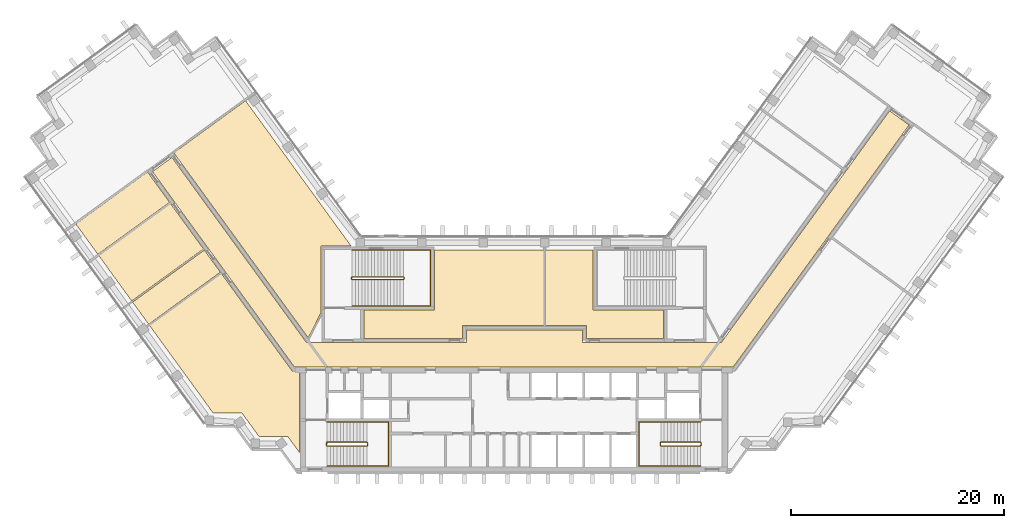
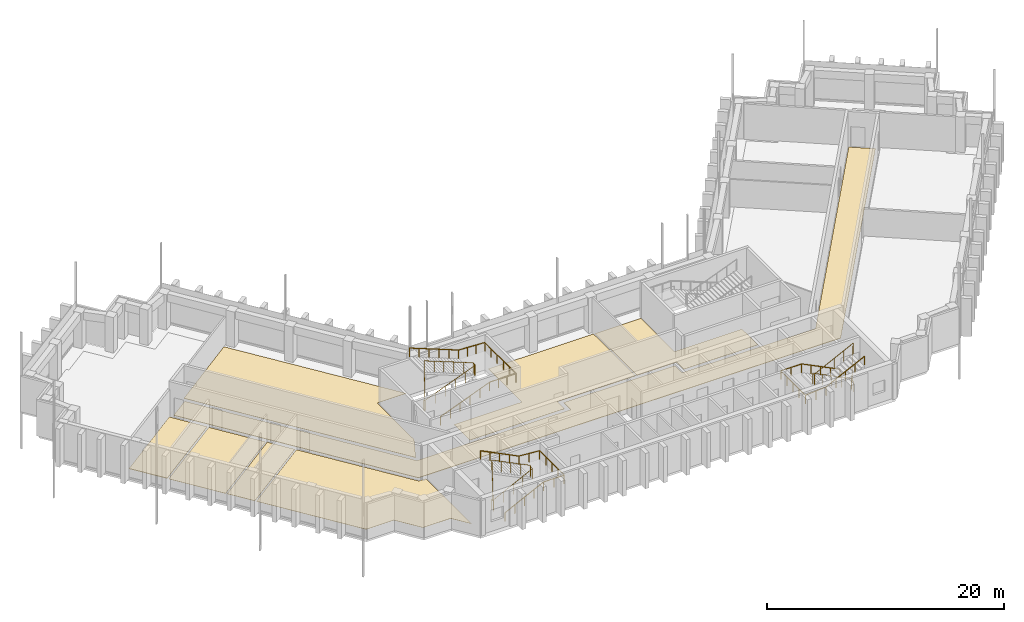
# One storey, part 12 of 13: 8 coverings, 6 railings.
"""IFC4 building model written with IfcOpenShell, lengths in metres."""

from ifc_helpers import new_model, si_unit, direction, frame, origin, origin_2d, place, context, subcontext, project, spatial, polyline, circle, outline, extrude, material, layer, layer_set, type_object, element, save


model = new_model("IFC4")

# Units and contexts
model_context = context("Model", 3, precision=1e-05, world=origin(), true_north=direction((0.0, 1.0)))
body_context = subcontext(model_context, "Body", "Model", "MODEL_VIEW")
ifc_project = project(units=[si_unit("LENGTHUNIT", "METRE"), si_unit("AREAUNIT", "SQUARE_METRE"), si_unit("VOLUMEUNIT", "CUBIC_METRE"), si_unit("PLANEANGLEUNIT", "RADIAN"), si_unit("MASSUNIT", "GRAM", prefix="KILO")], contexts=[model_context])

# Site, building, storey
site_placement = place(None, origin())
site = spatial("IfcSite", under=ifc_project, at=site_placement, CompositionType="ELEMENT")
building_placement = place(site_placement, origin())
building = spatial("IfcBuilding", under=site, at=building_placement, Name="Quipu Civic Tower", CompositionType="ELEMENT")
storey_placement = place(building_placement, frame((0.0, 0.0, 172.0)))
storey = spatial("IfcBuildingStorey", under=building, at=storey_placement, Name="L40", CompositionType="ELEMENT", Elevation=172.0)

# Coverings
ifc_material_1 = material(Name="Carpet tile on raised access floor")
ifc_layer_1 = layer(ifc_material_1, 0.02001953125)
ifc_layer_set_1 = layer_set([ifc_layer_1], Name="Carpet tile on raised access floor")
covering_type_1 = type_object("IfcCoveringType", Name="Carpet tile floor finish 20", PredefinedType="FLOORING", material=ifc_layer_set_1)
covering_1_placement = place(storey_placement, origin())
element("IfcCovering", 1, at=covering_1_placement, inside=storey, type_object=covering_type_1, Name="Carpet tile floor finish 20", PredefinedType="FLOORING", context=body_context, shape_type="SweptSolid", body=[
    extrude(outline(polyline([(2.948974609375, 2.719970703125), (2.948974609375, 9.830078125), (7.429931640625, 9.830078125), (7.430908203125, 4.179931640625), (14.030029296875, 4.179931640625), (14.030029296875, 1.52001953125), (6.820068359375, 1.52001953125), (6.819091796875, 2.719970703125), (2.948974609375, 2.719970703125)])), origin(), (0.0, 0.0, 1.0), 0.02001953125),
])
covering_2_placement = place(storey_placement, origin())
element("IfcCovering", 2, at=covering_2_placement, inside=storey, type_object=covering_type_1, Name="Carpet tile floor finish 20", PredefinedType="FLOORING", context=body_context, shape_type="SweptSolid", body=[
    extrude(outline(polyline([(-38.89990234375, 9.291015625), (-32.177001953125, 14.174072265625), (-29.0859375, 9.9189453125), (-35.80908203125, 5.034912109375), (-38.89990234375, 9.291015625)])), origin(), (0.0, 0.0, 1.0), 0.02001953125),
])
covering_3_placement = place(storey_placement, origin())
element("IfcCovering", 3, at=covering_3_placement, inside=storey, type_object=covering_type_1, Name="Carpet tile floor finish 20", PredefinedType="FLOORING", context=body_context, shape_type="SweptSolid", body=[
    extrude(outline(polyline([(-14.030029296875, 1.52001953125), (-14.030029296875, 4.179931640625), (-7.429931640625, 4.180908203125), (-7.429931640625, 9.830078125), (2.80908203125, 9.830078125), (2.80908203125, 2.719970703125), (-4.818115234375, 2.719970703125), (-4.820068359375, 1.52001953125), (-14.030029296875, 1.52001953125)])), origin(), (0.0, 0.0, 1.0), 0.02001953125),
])
covering_4_placement = place(storey_placement, origin())
element("IfcCovering", 4, at=covering_4_placement, inside=storey, type_object=covering_type_1, Name="Carpet tile floor finish 20", PredefinedType="FLOORING", context=body_context, shape_type="SweptSolid", body=[
    extrude(outline(polyline([(-31.865966796875, 18.9189453125), (-25.14306640625, 23.802978515625), (-15.238037109375, 10.169921875), (-18.070068359375, 10.1689453125), (-18.070068359375, 3.94189453125), (-19.27197265625, 1.583984375), (-31.865966796875, 18.9189453125)])), origin(), (0.0, 0.0, 1.0), 0.02001953125),
])
covering_5_placement = place(storey_placement, origin())
element("IfcCovering", 5, at=covering_5_placement, inside=storey, type_object=covering_type_1, Name="Carpet tile floor finish 20", PredefinedType="FLOORING", context=body_context, shape_type="SweptSolid", body=[
    extrude(outline(polyline([(-34.138916015625, 2.738037109375), (-27.416015625, 7.62109375), (-20.77490234375, -1.51904296875), (-20.070068359375, -1.52001953125), (-20.070068359375, -9.195068359375), (-21.196044921875, -7.64599609375), (-23.89501953125, -7.64599609375), (-25.48193359375, -5.4619140625), (-28.181884765625, -5.4609375), (-34.138916015625, 2.738037109375)])), origin(), (0.0, 0.0, 1.0), 0.02001953125),
])
ifc_material_2 = material(Name="Ceramic floor tile")
ifc_layer_2 = layer(ifc_material_2, 0.030029296875)
ifc_layer_set_2 = layer_set([ifc_layer_2], Name="Ceramic floor tile")
covering_type_2 = type_object("IfcCoveringType", Name="Ceramic tile floor finish 30", PredefinedType="FLOORING", material=ifc_layer_set_2)
covering_6_placement = place(storey_placement, origin())
element("IfcCovering", 6, at=covering_6_placement, inside=storey, type_object=covering_type_2, Name="Ceramic tile floor finish 30", PredefinedType="FLOORING", context=body_context, shape_type="SweptSolid", body=[
    extrude(outline(polyline([(-35.72607421875, 4.922119140625), (-29.0029296875, 9.805908203125), (-27.4990234375, 7.73388671875), (-34.221923828125, 2.85107421875), (-35.72607421875, 4.922119140625)])), origin(), (0.0, 0.0, 1.0), 0.030029296875),
])
ifc_material_3 = material(Name="Sealed cement screed")
ifc_layer_3 = layer(ifc_material_3, 0.050048828125)
ifc_layer_set_3 = layer_set([ifc_layer_3], Name="Sealed cement screed")
covering_type_3 = type_object("IfcCoveringType", Name="Sealed screed floor finish 50", PredefinedType="FLOORING", material=ifc_layer_set_3)
covering_7_placement = place(storey_placement, origin())
element("IfcCovering", 7, at=covering_7_placement, inside=storey, type_object=covering_type_3, Name="Sealed screed floor finish 50", PredefinedType="FLOORING", context=body_context, shape_type="SweptSolid", body=[
    extrude(outline(polyline([(-41.048095703125, 12.2470703125), (-34.324951171875, 17.131103515625), (-32.260009765625, 14.287109375), (-38.98291015625, 9.404052734375), (-41.048095703125, 12.2470703125)])), origin(), (0.0, 0.0, 1.0), 0.050048828125),
])

# Railings
ifc_material_4 = material(Name="Stainless steel", Category="steel")
railing_type_1 = type_object("IfcRailingType", Name="Stair guard 1100", PredefinedType="GUARDRAIL", material=ifc_material_4)
railing_1_placement = place(storey_placement, frame((-17.5, -8.550048828125, 0.15380859375)))
element("IfcRailing", 8, at=railing_1_placement, inside=storey, type_object=railing_type_1, Name="Stair 1 guard", PredefinedType="GUARDRAIL", context=body_context, shape_type="SweptSolid", body=[
    extrude(circle(Radius=0.02392578125, at=origin_2d()), frame((0.0, 0.0, 1.076171875), z_axis=(0.895751851347, 0.0, 0.444554407028), x_axis=(0.0, 1.0, 0.0)), (0.0, 0.0, 1.0), 4.15283203125),
    extrude(circle(Radius=0.02392578125, at=origin_2d()), frame((3.719970703125, 0.0, 2.92236328125), z_axis=(0.707106781187, 0.707106781187, 0.0), x_axis=(-0.707106781187, 0.707106781187, 0.0)), (0.0, 0.0, 1.0), 0.07080078125),
    extrude(circle(Radius=0.02392578125, at=origin_2d()), frame((3.77001953125, 0.050048828125, 2.92236328125), z_axis=(0.0, 1.0, 0.0), x_axis=(-1.0, 0.0, 0.0)), (0.0, 0.0, 1.0), 0.25),
    extrude(circle(Radius=0.02392578125, at=origin_2d()), frame((3.77001953125, 0.300048828125, 2.92236328125), z_axis=(-0.295599637079, 0.295599637079, 0.908428152975), x_axis=(-0.707106781187, -0.707106781187, 0.0)), (0.0, 0.0, 1.0), 0.16943359375),
    extrude(circle(Radius=0.02392578125, at=origin_2d()), frame((3.719970703125, 0.35009765625, 3.076171875), z_axis=(-0.895751851347, 0.0, 0.444554407028), x_axis=(0.0, -1.0, 0.0)), (0.0, 0.0, 1.0), 4.15283203125),
    extrude(circle(Radius=0.02392578125, at=origin_2d()), frame((0.0, 0.35009765625, 4.92236328125), z_axis=(-0.012476181752, -0.074796231092, -0.997120789425), x_axis=(0.986372223864, -0.164529134168, 0.0)), (0.0, 0.0, 1.0), 4.011474609375),
    extrude(circle(Radius=0.02392578125, at=origin_2d()), frame((-0.050048828125, 0.050048828125, 0.92236328125), z_axis=(0.0, 1.0, 0.0), x_axis=(-1.0, 0.0, 0.0)), (0.0, 0.0, 1.0), 0.25),
    extrude(circle(Radius=0.02099609375, at=origin_2d()), origin(), (0.0, 0.0, 1.0), 1.052001953125),
    extrude(circle(Radius=0.02099609375, at=origin_2d()), frame((0.929931640625, 0.0, 0.46142578125)), (0.0, 0.0, 1.0), 1.052001953125),
    extrude(circle(Radius=0.02099609375, at=origin_2d()), frame((1.85986328125, 0.0, 0.923095703125)), (0.0, 0.0, 1.0), 1.052001953125),
    extrude(circle(Radius=0.02099609375, at=origin_2d()), frame((2.7900390625, 0.0, 1.384765625)), (0.0, 0.0, 1.0), 1.052001953125),
    extrude(circle(Radius=0.02099609375, at=origin_2d()), frame((3.719970703125, 0.0, 1.84619140625)), (0.0, 0.0, 1.0), 1.052001953125),
    extrude(circle(Radius=0.02099609375, at=origin_2d()), frame((3.77001953125, 0.050048828125, 1.84619140625)), (0.0, 0.0, 1.0), 1.052001953125),
    extrude(circle(Radius=0.02099609375, at=origin_2d()), frame((3.77001953125, 0.300048828125, 1.84619140625)), (0.0, 0.0, 1.0), 1.052001953125),
    extrude(circle(Radius=0.02099609375, at=origin_2d()), frame((3.719970703125, 0.35009765625, 2.0)), (0.0, 0.0, 1.0), 1.052001953125),
    extrude(circle(Radius=0.02099609375, at=origin_2d()), frame((2.7900390625, 0.35009765625, 2.46142578125)), (0.0, 0.0, 1.0), 1.052001953125),
    extrude(circle(Radius=0.02099609375, at=origin_2d()), frame((1.85986328125, 0.35009765625, 2.923095703125)), (0.0, 0.0, 1.0), 1.052001953125),
    extrude(circle(Radius=0.02099609375, at=origin_2d()), frame((0.929931640625, 0.35009765625, 3.384765625)), (0.0, 0.0, 1.0), 1.052001953125),
    extrude(circle(Radius=0.02099609375, at=origin_2d()), frame((0.0, 0.35009765625, 3.84619140625)), (0.0, 0.0, 1.0), 1.052001953125),
    extrude(circle(Radius=0.02099609375, at=origin_2d()), frame((-0.012451171875, 0.275146484375, 2.84619140625)), (0.0, 0.0, 1.0), 1.052001953125),
    extrude(circle(Radius=0.02099609375, at=origin_2d()), frame((-0.02490234375, 0.2001953125, 1.84619140625)), (0.0, 0.0, 1.0), 1.052001953125),
    extrude(circle(Radius=0.02099609375, at=origin_2d()), frame((-0.03759765625, 0.125, 0.84619140625)), (0.0, 0.0, 1.0), 1.052001953125),
    extrude(circle(Radius=0.02099609375, at=origin_2d()), frame((-0.050048828125, 0.050048828125, -0.15380859375)), (0.0, 0.0, 1.0), 1.052001953125),
    extrude(circle(Radius=0.02099609375, at=origin_2d()), frame((-0.050048828125, 0.300048828125, -0.15380859375)), (0.0, 0.0, 1.0), 1.052001953125),
])
railing_2_placement = place(storey_placement, frame((17.5, -8.199951171875, 0.15380859375)))
element("IfcRailing", 9, at=railing_2_placement, inside=storey, type_object=railing_type_1, Name="Stair 2 guard", PredefinedType="GUARDRAIL", context=body_context, shape_type="SweptSolid", body=[
    extrude(circle(Radius=0.02392578125, at=origin_2d()), frame((0.0, 0.0, 1.076171875), z_axis=(-0.895751851347, 0.0, 0.444554407028), x_axis=(0.0, -1.0, 0.0)), (0.0, 0.0, 1.0), 4.15283203125),
    extrude(circle(Radius=0.02392578125, at=origin_2d()), frame((-3.719970703125, 0.0, 2.92236328125), z_axis=(-0.707106781187, -0.707106781187, 0.0), x_axis=(0.707106781187, -0.707106781187, 0.0)), (0.0, 0.0, 1.0), 0.07080078125),
    extrude(circle(Radius=0.02392578125, at=origin_2d()), frame((-3.77001953125, -0.050048828125, 2.92236328125), z_axis=(0.0, -1.0, 0.0), x_axis=(1.0, 0.0, 0.0)), (0.0, 0.0, 1.0), 0.25),
    extrude(circle(Radius=0.02392578125, at=origin_2d()), frame((-3.77001953125, -0.300048828125, 2.92236328125), z_axis=(0.295599637079, -0.295599637079, 0.908428152975), x_axis=(0.707106781187, 0.707106781187, 0.0)), (0.0, 0.0, 1.0), 0.16943359375),
    extrude(circle(Radius=0.02392578125, at=origin_2d()), frame((-3.719970703125, -0.35009765625, 3.076171875), z_axis=(0.895751851347, 0.0, 0.444554407028), x_axis=(0.0, 1.0, 0.0)), (0.0, 0.0, 1.0), 4.15283203125),
    extrude(circle(Radius=0.02392578125, at=origin_2d()), frame((0.0, -0.35009765625, 4.92236328125), z_axis=(0.012476181752, 0.074796231092, -0.997120789425), x_axis=(-0.986372223864, 0.164529134168, 0.0)), (0.0, 0.0, 1.0), 4.011474609375),
    extrude(circle(Radius=0.02392578125, at=origin_2d()), frame((0.050048828125, -0.050048828125, 0.92236328125), z_axis=(0.0, -1.0, 0.0), x_axis=(1.0, 0.0, 0.0)), (0.0, 0.0, 1.0), 0.25),
    extrude(circle(Radius=0.02099609375, at=origin_2d()), origin(), (0.0, 0.0, 1.0), 1.052001953125),
    extrude(circle(Radius=0.02099609375, at=origin_2d()), frame((-0.929931640625, 0.0, 0.46142578125)), (0.0, 0.0, 1.0), 1.052001953125),
    extrude(circle(Radius=0.02099609375, at=origin_2d()), frame((-1.85986328125, 0.0, 0.923095703125)), (0.0, 0.0, 1.0), 1.052001953125),
    extrude(circle(Radius=0.02099609375, at=origin_2d()), frame((-2.7900390625, 0.0, 1.384765625)), (0.0, 0.0, 1.0), 1.052001953125),
    extrude(circle(Radius=0.02099609375, at=origin_2d()), frame((-3.719970703125, 0.0, 1.84619140625)), (0.0, 0.0, 1.0), 1.052001953125),
    extrude(circle(Radius=0.02099609375, at=origin_2d()), frame((-3.77001953125, -0.050048828125, 1.84619140625)), (0.0, 0.0, 1.0), 1.052001953125),
    extrude(circle(Radius=0.02099609375, at=origin_2d()), frame((-3.77001953125, -0.300048828125, 1.84619140625)), (0.0, 0.0, 1.0), 1.052001953125),
    extrude(circle(Radius=0.02099609375, at=origin_2d()), frame((-3.719970703125, -0.35009765625, 2.0)), (0.0, 0.0, 1.0), 1.052001953125),
    extrude(circle(Radius=0.02099609375, at=origin_2d()), frame((-2.7900390625, -0.35009765625, 2.46142578125)), (0.0, 0.0, 1.0), 1.052001953125),
    extrude(circle(Radius=0.02099609375, at=origin_2d()), frame((-1.85986328125, -0.35009765625, 2.923095703125)), (0.0, 0.0, 1.0), 1.052001953125),
    extrude(circle(Radius=0.02099609375, at=origin_2d()), frame((-0.929931640625, -0.35009765625, 3.384765625)), (0.0, 0.0, 1.0), 1.052001953125),
    extrude(circle(Radius=0.02099609375, at=origin_2d()), frame((0.0, -0.35009765625, 3.84619140625)), (0.0, 0.0, 1.0), 1.052001953125),
    extrude(circle(Radius=0.02099609375, at=origin_2d()), frame((0.012451171875, -0.275146484375, 2.84619140625)), (0.0, 0.0, 1.0), 1.052001953125),
    extrude(circle(Radius=0.02099609375, at=origin_2d()), frame((0.02490234375, -0.2001953125, 1.84619140625)), (0.0, 0.0, 1.0), 1.052001953125),
    extrude(circle(Radius=0.02099609375, at=origin_2d()), frame((0.03759765625, -0.125, 0.84619140625)), (0.0, 0.0, 1.0), 1.052001953125),
    extrude(circle(Radius=0.02099609375, at=origin_2d()), frame((0.050048828125, -0.050048828125, -0.15380859375)), (0.0, 0.0, 1.0), 1.052001953125),
    extrude(circle(Radius=0.02099609375, at=origin_2d()), frame((0.050048828125, -0.300048828125, -0.15380859375)), (0.0, 0.0, 1.0), 1.052001953125),
])
railing_3_placement = place(storey_placement, frame((-15.14990234375, 7.050048828125, 0.11767578125)))
element("IfcRailing", 10, at=railing_3_placement, inside=storey, type_object=railing_type_1, Name="Stair 3 guard", PredefinedType="GUARDRAIL", context=body_context, shape_type="SweptSolid", body=[
    extrude(circle(Radius=0.02392578125, at=origin_2d()), frame((0.0, 0.0, 1.076171875), z_axis=(0.930970042603, 0.0, 0.365095576219), x_axis=(0.0, 1.0, 0.0)), (0.0, 0.0, 1.0), 5.15576171875),
    extrude(circle(Radius=0.02392578125, at=origin_2d()), frame((4.7998046875, 0.0, 2.95849609375), z_axis=(0.707106781187, 0.707106781187, 0.0), x_axis=(-0.707106781187, 0.707106781187, 0.0)), (0.0, 0.0, 1.0), 0.07080078125),
    extrude(circle(Radius=0.02392578125, at=origin_2d()), frame((4.849853515625, 0.050048828125, 2.95849609375), z_axis=(0.0, 1.0, 0.0), x_axis=(-1.0, 0.0, 0.0)), (0.0, 0.0, 1.0), 0.14990234375),
    extrude(circle(Radius=0.02392578125, at=origin_2d()), frame((4.849853515625, 0.199951171875, 2.95849609375), z_axis=(-0.364463019033, 0.364463019033, 0.856932561824), x_axis=(-0.707106781187, -0.707106781187, 0.0)), (0.0, 0.0, 1.0), 0.13720703125),
    extrude(circle(Radius=0.02392578125, at=origin_2d()), frame((4.7998046875, 0.25, 3.076171875), z_axis=(-0.930970042603, 0.0, 0.365095576219), x_axis=(0.0, -1.0, 0.0)), (0.0, 0.0, 1.0), 5.15576171875),
    extrude(circle(Radius=0.02392578125, at=origin_2d()), frame((0.0, 0.25, 4.95849609375), z_axis=(-0.012495627992, -0.049921557685, -0.998674970829), x_axis=(0.970072785993, -0.242814311512, 0.0)), (0.0, 0.0, 1.0), 4.00537109375),
    extrude(circle(Radius=0.02392578125, at=origin_2d()), frame((-0.050048828125, 0.050048828125, 0.95849609375), z_axis=(0.0, 1.0, 0.0), x_axis=(-1.0, 0.0, 0.0)), (0.0, 0.0, 1.0), 0.14990234375),
    extrude(circle(Radius=0.02099609375, at=origin_2d()), origin(), (0.0, 0.0, 1.0), 1.052001953125),
    extrude(circle(Radius=0.02099609375, at=origin_2d()), frame((0.9599609375, 0.0, 0.37646484375)), (0.0, 0.0, 1.0), 1.052001953125),
    extrude(circle(Radius=0.02099609375, at=origin_2d()), frame((1.919921875, 0.0, 0.7529296875)), (0.0, 0.0, 1.0), 1.052001953125),
    extrude(circle(Radius=0.02099609375, at=origin_2d()), frame((2.8798828125, 0.0, 1.12939453125)), (0.0, 0.0, 1.0), 1.052001953125),
    extrude(circle(Radius=0.02099609375, at=origin_2d()), frame((3.83984375, 0.0, 1.505859375)), (0.0, 0.0, 1.0), 1.052001953125),
    extrude(circle(Radius=0.02099609375, at=origin_2d()), frame((4.7998046875, 0.0, 1.88232421875)), (0.0, 0.0, 1.0), 1.052001953125),
    extrude(circle(Radius=0.02099609375, at=origin_2d()), frame((4.849853515625, 0.050048828125, 1.88232421875)), (0.0, 0.0, 1.0), 1.052001953125),
    extrude(circle(Radius=0.02099609375, at=origin_2d()), frame((4.849853515625, 0.199951171875, 1.88232421875)), (0.0, 0.0, 1.0), 1.052001953125),
    extrude(circle(Radius=0.02099609375, at=origin_2d()), frame((4.7998046875, 0.25, 2.0)), (0.0, 0.0, 1.0), 1.052001953125),
    extrude(circle(Radius=0.02099609375, at=origin_2d()), frame((3.83984375, 0.25, 2.37646484375)), (0.0, 0.0, 1.0), 1.052001953125),
    extrude(circle(Radius=0.02099609375, at=origin_2d()), frame((2.8798828125, 0.25, 2.7529296875)), (0.0, 0.0, 1.0), 1.052001953125),
    extrude(circle(Radius=0.02099609375, at=origin_2d()), frame((1.919921875, 0.25, 3.12939453125)), (0.0, 0.0, 1.0), 1.052001953125),
    extrude(circle(Radius=0.02099609375, at=origin_2d()), frame((0.9599609375, 0.25, 3.505859375)), (0.0, 0.0, 1.0), 1.052001953125),
    extrude(circle(Radius=0.02099609375, at=origin_2d()), frame((0.0, 0.25, 3.88232421875)), (0.0, 0.0, 1.0), 1.052001953125),
    extrude(circle(Radius=0.02099609375, at=origin_2d()), frame((-0.012451171875, 0.199951171875, 2.88232421875)), (0.0, 0.0, 1.0), 1.052001953125),
    extrude(circle(Radius=0.02099609375, at=origin_2d()), frame((-0.02490234375, 0.14990234375, 1.88232421875)), (0.0, 0.0, 1.0), 1.052001953125),
    extrude(circle(Radius=0.02099609375, at=origin_2d()), frame((-0.03759765625, 0.10009765625, 0.88232421875)), (0.0, 0.0, 1.0), 1.052001953125),
    extrude(circle(Radius=0.02099609375, at=origin_2d()), frame((-0.050048828125, 0.050048828125, -0.11767578125)), (0.0, 0.0, 1.0), 1.052001953125),
    extrude(circle(Radius=0.02099609375, at=origin_2d()), frame((-0.050048828125, 0.199951171875, -0.11767578125)), (0.0, 0.0, 1.0), 1.052001953125),
])
ifc_material_5 = material(Name="Stainless steel", Category="steel")
railing_type_2 = type_object("IfcRailingType", Name="Stair handrail", PredefinedType="HANDRAIL", material=ifc_material_5)
railing_4_placement = place(storey_placement, frame((-17.5, -10.449951171875, 0.15380859375)))
element("IfcRailing", 11, at=railing_4_placement, inside=storey, type_object=railing_type_2, Name="Stair 1 handrail", PredefinedType="HANDRAIL", context=body_context, shape_type="SweptSolid", body=[
    extrude(circle(Radius=0.02392578125, at=origin_2d()), frame((0.0, 0.0, 0.8759765625), z_axis=(0.895751851347, 0.0, 0.444554407028), x_axis=(0.0, 1.0, 0.0)), (0.0, 0.0, 1.0), 4.15283203125),
    extrude(circle(Radius=0.02392578125, at=origin_2d()), frame((3.719970703125, 0.0, 2.72216796875), z_axis=(1.0, 0.0, 0.0), x_axis=(0.0, 1.0, 0.0)), (0.0, 0.0, 1.0), 2.030029296875),
    extrude(circle(Radius=0.02392578125, at=origin_2d()), frame((5.75, 0.0, 2.72216796875), z_axis=(0.0, 1.0, 0.0), x_axis=(-1.0, 0.0, 0.0)), (0.0, 0.0, 1.0), 4.14990234375),
    extrude(circle(Radius=0.02392578125, at=origin_2d()), frame((5.75, 4.14990234375, 2.72216796875), z_axis=(-0.997142003663, 0.0, 0.075550145798), x_axis=(0.0, -1.0, 0.0)), (0.0, 0.0, 1.0), 2.035888671875),
    extrude(circle(Radius=0.02392578125, at=origin_2d()), frame((3.719970703125, 4.14990234375, 2.8759765625), z_axis=(-0.895751851347, 0.0, 0.444554407028), x_axis=(0.0, -1.0, 0.0)), (0.0, 0.0, 1.0), 4.15283203125),
    extrude(circle(Radius=0.02099609375, at=origin_2d()), origin(), (0.0, 0.0, 1.0), 0.851806640625),
    extrude(circle(Radius=0.02099609375, at=origin_2d()), frame((0.929931640625, 0.0, 0.46142578125)), (0.0, 0.0, 1.0), 0.851806640625),
    extrude(circle(Radius=0.02099609375, at=origin_2d()), frame((1.85986328125, 0.0, 0.923095703125)), (0.0, 0.0, 1.0), 0.851806640625),
    extrude(circle(Radius=0.02099609375, at=origin_2d()), frame((2.7900390625, 0.0, 1.384765625)), (0.0, 0.0, 1.0), 0.851806640625),
    extrude(circle(Radius=0.02099609375, at=origin_2d()), frame((3.719970703125, 0.0, 1.84619140625)), (0.0, 0.0, 1.0), 0.851806640625),
    extrude(circle(Radius=0.02099609375, at=origin_2d()), frame((4.73486328125, 0.0, 1.84619140625)), (0.0, 0.0, 1.0), 0.851806640625),
    extrude(circle(Radius=0.02099609375, at=origin_2d()), frame((5.75, 0.0, 1.84619140625)), (0.0, 0.0, 1.0), 0.851806640625),
    extrude(circle(Radius=0.02099609375, at=origin_2d()), frame((5.75, 1.03759765625, 1.84619140625)), (0.0, 0.0, 1.0), 0.851806640625),
    extrude(circle(Radius=0.02099609375, at=origin_2d()), frame((5.75, 2.074951171875, 1.84619140625)), (0.0, 0.0, 1.0), 0.851806640625),
    extrude(circle(Radius=0.02099609375, at=origin_2d()), frame((5.75, 3.1123046875, 1.84619140625)), (0.0, 0.0, 1.0), 0.851806640625),
    extrude(circle(Radius=0.02099609375, at=origin_2d()), frame((5.75, 4.14990234375, 1.84619140625)), (0.0, 0.0, 1.0), 0.851806640625),
    extrude(circle(Radius=0.02099609375, at=origin_2d()), frame((4.73486328125, 4.14990234375, 1.923095703125)), (0.0, 0.0, 1.0), 0.851806640625),
    extrude(circle(Radius=0.02099609375, at=origin_2d()), frame((3.719970703125, 4.14990234375, 2.0)), (0.0, 0.0, 1.0), 0.851806640625),
    extrude(circle(Radius=0.02099609375, at=origin_2d()), frame((2.7900390625, 4.14990234375, 2.46142578125)), (0.0, 0.0, 1.0), 0.851806640625),
    extrude(circle(Radius=0.02099609375, at=origin_2d()), frame((1.85986328125, 4.14990234375, 2.923095703125)), (0.0, 0.0, 1.0), 0.851806640625),
    extrude(circle(Radius=0.02099609375, at=origin_2d()), frame((0.929931640625, 4.14990234375, 3.384765625)), (0.0, 0.0, 1.0), 0.851806640625),
    extrude(circle(Radius=0.02099609375, at=origin_2d()), frame((0.0, 4.14990234375, 3.84619140625)), (0.0, 0.0, 1.0), 0.851806640625),
])
railing_5_placement = place(storey_placement, frame((17.5, -6.300048828125, 0.15380859375)))
element("IfcRailing", 12, at=railing_5_placement, inside=storey, type_object=railing_type_2, Name="Stair 2 handrail", PredefinedType="HANDRAIL", context=body_context, shape_type="SweptSolid", body=[
    extrude(circle(Radius=0.02392578125, at=origin_2d()), frame((0.0, 0.0, 0.8759765625), z_axis=(-0.895751851347, 0.0, 0.444554407028), x_axis=(0.0, -1.0, 0.0)), (0.0, 0.0, 1.0), 4.15283203125),
    extrude(circle(Radius=0.02392578125, at=origin_2d()), frame((-3.719970703125, 0.0, 2.72216796875), z_axis=(-1.0, 0.0, 0.0), x_axis=(0.0, -1.0, 0.0)), (0.0, 0.0, 1.0), 2.030029296875),
    extrude(circle(Radius=0.02392578125, at=origin_2d()), frame((-5.75, 0.0, 2.72216796875), z_axis=(0.0, -1.0, 0.0), x_axis=(1.0, 0.0, 0.0)), (0.0, 0.0, 1.0), 4.14990234375),
    extrude(circle(Radius=0.02392578125, at=origin_2d()), frame((-5.75, -4.14990234375, 2.72216796875), z_axis=(0.997142003663, 0.0, 0.075550145798), x_axis=(0.0, 1.0, 0.0)), (0.0, 0.0, 1.0), 2.035888671875),
    extrude(circle(Radius=0.02392578125, at=origin_2d()), frame((-3.719970703125, -4.14990234375, 2.8759765625), z_axis=(0.895751851347, 0.0, 0.444554407028), x_axis=(0.0, 1.0, 0.0)), (0.0, 0.0, 1.0), 4.15283203125),
    extrude(circle(Radius=0.02099609375, at=origin_2d()), origin(), (0.0, 0.0, 1.0), 0.851806640625),
    extrude(circle(Radius=0.02099609375, at=origin_2d()), frame((-0.929931640625, 0.0, 0.46142578125)), (0.0, 0.0, 1.0), 0.851806640625),
    extrude(circle(Radius=0.02099609375, at=origin_2d()), frame((-1.85986328125, 0.0, 0.923095703125)), (0.0, 0.0, 1.0), 0.851806640625),
    extrude(circle(Radius=0.02099609375, at=origin_2d()), frame((-2.7900390625, 0.0, 1.384765625)), (0.0, 0.0, 1.0), 0.851806640625),
    extrude(circle(Radius=0.02099609375, at=origin_2d()), frame((-3.719970703125, 0.0, 1.84619140625)), (0.0, 0.0, 1.0), 0.851806640625),
    extrude(circle(Radius=0.02099609375, at=origin_2d()), frame((-4.73486328125, 0.0, 1.84619140625)), (0.0, 0.0, 1.0), 0.851806640625),
    extrude(circle(Radius=0.02099609375, at=origin_2d()), frame((-5.75, 0.0, 1.84619140625)), (0.0, 0.0, 1.0), 0.851806640625),
    extrude(circle(Radius=0.02099609375, at=origin_2d()), frame((-5.75, -1.03759765625, 1.84619140625)), (0.0, 0.0, 1.0), 0.851806640625),
    extrude(circle(Radius=0.02099609375, at=origin_2d()), frame((-5.75, -2.074951171875, 1.84619140625)), (0.0, 0.0, 1.0), 0.851806640625),
    extrude(circle(Radius=0.02099609375, at=origin_2d()), frame((-5.75, -3.1123046875, 1.84619140625)), (0.0, 0.0, 1.0), 0.851806640625),
    extrude(circle(Radius=0.02099609375, at=origin_2d()), frame((-5.75, -4.14990234375, 1.84619140625)), (0.0, 0.0, 1.0), 0.851806640625),
    extrude(circle(Radius=0.02099609375, at=origin_2d()), frame((-4.73486328125, -4.14990234375, 1.923095703125)), (0.0, 0.0, 1.0), 0.851806640625),
    extrude(circle(Radius=0.02099609375, at=origin_2d()), frame((-3.719970703125, -4.14990234375, 2.0)), (0.0, 0.0, 1.0), 0.851806640625),
    extrude(circle(Radius=0.02099609375, at=origin_2d()), frame((-2.7900390625, -4.14990234375, 2.46142578125)), (0.0, 0.0, 1.0), 0.851806640625),
    extrude(circle(Radius=0.02099609375, at=origin_2d()), frame((-1.85986328125, -4.14990234375, 2.923095703125)), (0.0, 0.0, 1.0), 0.851806640625),
    extrude(circle(Radius=0.02099609375, at=origin_2d()), frame((-0.929931640625, -4.14990234375, 3.384765625)), (0.0, 0.0, 1.0), 0.851806640625),
    extrude(circle(Radius=0.02099609375, at=origin_2d()), frame((0.0, -4.14990234375, 3.84619140625)), (0.0, 0.0, 1.0), 0.851806640625),
])
railing_6_placement = place(storey_placement, frame((-15.14990234375, 4.550048828125, 0.11767578125)))
element("IfcRailing", 13, at=railing_6_placement, inside=storey, type_object=railing_type_2, Name="Stair 3 handrail", PredefinedType="HANDRAIL", context=body_context, shape_type="SweptSolid", body=[
    extrude(circle(Radius=0.02392578125, at=origin_2d()), frame((0.0, 0.0, 0.8759765625), z_axis=(0.930970042603, 0.0, 0.365095576219), x_axis=(0.0, 1.0, 0.0)), (0.0, 0.0, 1.0), 5.15576171875),
    extrude(circle(Radius=0.02392578125, at=origin_2d()), frame((4.7998046875, 0.0, 2.75830078125), z_axis=(1.0, 0.0, 0.0), x_axis=(0.0, 1.0, 0.0)), (0.0, 0.0, 1.0), 2.550048828125),
    extrude(circle(Radius=0.02392578125, at=origin_2d()), frame((7.349853515625, 0.0, 2.75830078125), z_axis=(0.0, 1.0, 0.0), x_axis=(-1.0, 0.0, 0.0)), (0.0, 0.0, 1.0), 5.25),
    extrude(circle(Radius=0.02392578125, at=origin_2d()), frame((7.349853515625, 5.25, 2.75830078125), z_axis=(-0.998936948642, 0.0, 0.04609742549), x_axis=(0.0, -1.0, 0.0)), (0.0, 0.0, 1.0), 2.552734375),
    extrude(circle(Radius=0.02392578125, at=origin_2d()), frame((4.7998046875, 5.25, 2.8759765625), z_axis=(-0.930970042603, 0.0, 0.365095576219), x_axis=(0.0, -1.0, 0.0)), (0.0, 0.0, 1.0), 5.15576171875),
    extrude(circle(Radius=0.02099609375, at=origin_2d()), origin(), (0.0, 0.0, 1.0), 0.851806640625),
    extrude(circle(Radius=0.02099609375, at=origin_2d()), frame((0.9599609375, 0.0, 0.37646484375)), (0.0, 0.0, 1.0), 0.851806640625),
    extrude(circle(Radius=0.02099609375, at=origin_2d()), frame((1.919921875, 0.0, 0.7529296875)), (0.0, 0.0, 1.0), 0.851806640625),
    extrude(circle(Radius=0.02099609375, at=origin_2d()), frame((2.8798828125, 0.0, 1.12939453125)), (0.0, 0.0, 1.0), 0.851806640625),
    extrude(circle(Radius=0.02099609375, at=origin_2d()), frame((3.83984375, 0.0, 1.505859375)), (0.0, 0.0, 1.0), 0.851806640625),
    extrude(circle(Radius=0.02099609375, at=origin_2d()), frame((4.7998046875, 0.0, 1.88232421875)), (0.0, 0.0, 1.0), 0.851806640625),
    extrude(circle(Radius=0.02099609375, at=origin_2d()), frame((5.64990234375, 0.0, 1.88232421875)), (0.0, 0.0, 1.0), 0.851806640625),
    extrude(circle(Radius=0.02099609375, at=origin_2d()), frame((6.499755859375, 0.0, 1.88232421875)), (0.0, 0.0, 1.0), 0.851806640625),
    extrude(circle(Radius=0.02099609375, at=origin_2d()), frame((7.349853515625, 0.0, 1.88232421875)), (0.0, 0.0, 1.0), 0.851806640625),
    extrude(circle(Radius=0.02099609375, at=origin_2d()), frame((7.349853515625, 1.050048828125, 1.88232421875)), (0.0, 0.0, 1.0), 0.851806640625),
    extrude(circle(Radius=0.02099609375, at=origin_2d()), frame((7.349853515625, 2.10009765625, 1.88232421875)), (0.0, 0.0, 1.0), 0.851806640625),
    extrude(circle(Radius=0.02099609375, at=origin_2d()), frame((7.349853515625, 3.14990234375, 1.88232421875)), (0.0, 0.0, 1.0), 0.851806640625),
    extrude(circle(Radius=0.02099609375, at=origin_2d()), frame((7.349853515625, 4.199951171875, 1.88232421875)), (0.0, 0.0, 1.0), 0.851806640625),
    extrude(circle(Radius=0.02099609375, at=origin_2d()), frame((7.349853515625, 5.25, 1.88232421875)), (0.0, 0.0, 1.0), 0.851806640625),
    extrude(circle(Radius=0.02099609375, at=origin_2d()), frame((6.499755859375, 5.25, 1.921630859375)), (0.0, 0.0, 1.0), 0.851806640625),
    extrude(circle(Radius=0.02099609375, at=origin_2d()), frame((5.64990234375, 5.25, 1.960693359375)), (0.0, 0.0, 1.0), 0.851806640625),
    extrude(circle(Radius=0.02099609375, at=origin_2d()), frame((4.7998046875, 5.25, 2.0)), (0.0, 0.0, 1.0), 0.851806640625),
    extrude(circle(Radius=0.02099609375, at=origin_2d()), frame((3.83984375, 5.25, 2.37646484375)), (0.0, 0.0, 1.0), 0.851806640625),
    extrude(circle(Radius=0.02099609375, at=origin_2d()), frame((2.8798828125, 5.25, 2.7529296875)), (0.0, 0.0, 1.0), 0.851806640625),
    extrude(circle(Radius=0.02099609375, at=origin_2d()), frame((1.919921875, 5.25, 3.12939453125)), (0.0, 0.0, 1.0), 0.851806640625),
    extrude(circle(Radius=0.02099609375, at=origin_2d()), frame((0.9599609375, 5.25, 3.505859375)), (0.0, 0.0, 1.0), 0.851806640625),
    extrude(circle(Radius=0.02099609375, at=origin_2d()), frame((0.0, 5.25, 3.88232421875)), (0.0, 0.0, 1.0), 0.851806640625),
])

# Covering
ifc_material_6 = material(Name="Terrazzo floor finish")
ifc_layer_4 = layer(ifc_material_6, 0.0400390625)
ifc_layer_set_4 = layer_set([ifc_layer_4], Name="Terrazzo floor finish")
covering_type_4 = type_object("IfcCoveringType", Name="Terrazzo floor finish 40", PredefinedType="FLOORING", material=ifc_layer_set_4)
covering_8_placement = place(storey_placement, origin())
element("IfcCovering", 14, at=covering_8_placement, inside=storey, type_object=covering_type_4, Name="Terrazzo floor finish 40", PredefinedType="FLOORING", context=body_context, shape_type="SweptSolid", body=[
    extrude(outline(polyline([(19.425048828125, 1.1298828125), (35.208984375, 22.85498046875), (37.037109375, 21.527099609375), (20.574951171875, -1.1298828125), (-20.574951171875, -1.1298828125), (-33.863037109375, 17.158935546875), (-32.033935546875, 18.487060546875), (-19.425048828125, 1.1298828125), (-4.429931640625, 1.1298828125), (-4.429931640625, 2.330078125), (6.429931640625, 2.330078125), (6.429931640625, 1.1298828125), (19.425048828125, 1.1298828125)])), origin(), (0.0, 0.0, 1.0), 0.0400390625),
])

save(model, "model.ifc")
